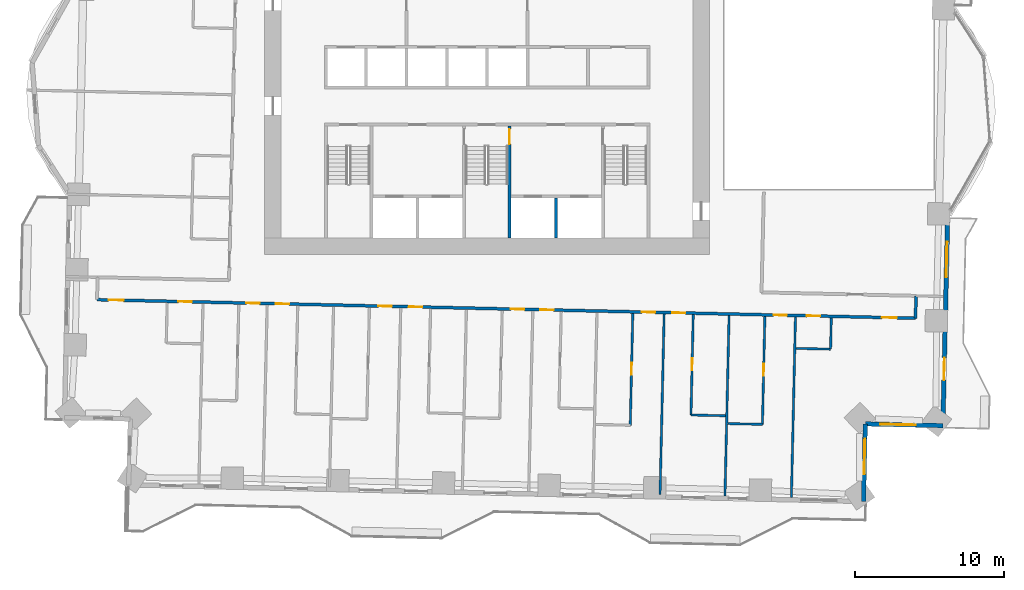
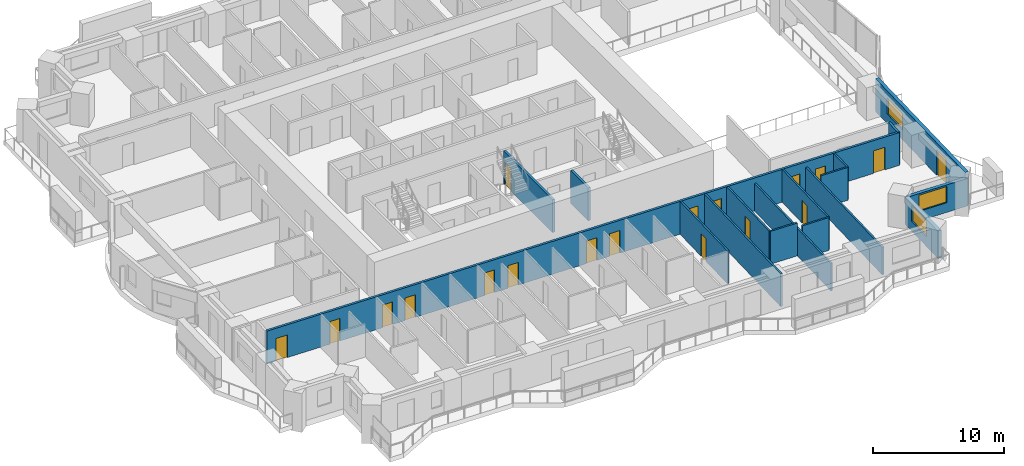
# One storey, part 9 of 18: 18 doors, 17 walls, 3 windows, 21 openings.
"""IFC4 building model written with IfcOpenShell, lengths in metres."""

from ifc_helpers import new_model, si_unit, direction, frame, frame_2d, origin, place, context, subcontext, project, spatial, rectangle, extrude, material, layer, layer_set, type_object, element, fill, save


model = new_model("IFC4")

# Units and contexts
model_context = context("Model", 3, precision=1e-05, world=origin(), true_north=direction((0.0, 1.0)))
body_context = subcontext(model_context, "Body", "Model", "MODEL_VIEW")
ifc_project = project(units=[si_unit("LENGTHUNIT", "METRE"), si_unit("AREAUNIT", "SQUARE_METRE"), si_unit("VOLUMEUNIT", "CUBIC_METRE"), si_unit("PLANEANGLEUNIT", "RADIAN"), si_unit("MASSUNIT", "GRAM", prefix="KILO")], contexts=[model_context])

# Site, building, storey
site_placement = place(None, origin())
site = spatial("IfcSite", under=ifc_project, at=site_placement, CompositionType="ELEMENT")
building_placement = place(site_placement, origin())
building = spatial("IfcBuilding", under=site, at=building_placement, Name="Mangrove Gate Tower", CompositionType="ELEMENT")
storey_placement = place(building_placement, frame((0.0, 0.0, 56.699951171875)))
storey = spatial("IfcBuildingStorey", under=building, at=storey_placement, Name="L13", CompositionType="ELEMENT", Elevation=56.699951171875)

# Wall
ifc_material_1 = material(Name="Concrete C70/85", Category="concrete")
ifc_layer_1 = layer(ifc_material_1, 0.199951171875)
ifc_layer_set_1 = layer_set([ifc_layer_1], Name="Core shaft wall 200 C70/85")
wall_type_1 = type_object("IfcWallType", Name="Core shaft wall 200 C70/85", PredefinedType="SHEAR", material=ifc_layer_set_1)
wall_1_placement = place(storey_placement, frame((4.625, -10.800048828125, 0.0), z_axis=(0.0, 0.0, 1.0), x_axis=(0.0, 1.0, 0.0)))
element("IfcWall", 1, at=wall_1_placement, inside=storey, type_object=wall_type_1, Name="WALL-L13-CORE-18", PredefinedType="SHEAR", context=body_context, shape_type="SweptSolid", body=[
    extrude(rectangle(XDim=2.699951171875, YDim=0.199951171875, at=frame_2d((1.35009765625, 0.0))), origin(), (0.0, 0.0, 1.0), 3.050048828125),
])

# Wall, opening, door
ifc_material_2 = material(Name="Concrete C70/85", Category="concrete")
ifc_layer_2 = layer(ifc_material_2, 0.199951171875)
ifc_layer_set_2 = layer_set([ifc_layer_2], Name="Core stair wall 200 C70/85")
wall_type_2 = type_object("IfcWallType", Name="Core stair wall 200 C70/85", PredefinedType="SHEAR", material=ifc_layer_set_2)
wall_2_placement = place(storey_placement, frame((1.5, -10.800048828125, 0.0), z_axis=(0.0, 0.0, 1.0), x_axis=(0.0, 1.0, 0.0)))
wall_2 = element("IfcWall", 2, at=wall_2_placement, inside=storey, type_object=wall_type_2, Name="WALL-L13-CORE-12", PredefinedType="SHEAR", context=body_context, shape_type="SweptSolid", body=[
    extrude(rectangle(XDim=7.5, YDim=0.199951171875, at=frame_2d((3.75, 0.0))), origin(), (0.0, 0.0, 1.0), 3.050048828125),
])
opening_1_placement = place(wall_2_placement, frame((6.300048828125, 0.0, 0.0)))
opening_1 = element("IfcOpeningElement", 3, at=opening_1_placement, cuts=wall_2, Name="Opening STD10", PredefinedType="OPENING", context=body_context, shape_type="SweptSolid", body=[
    extrude(rectangle(XDim=1.0, YDim=2.10009765625, at=frame_2d((0.5, 1.050048828125))), frame((0.0, 0.10986328125, 0.0), z_axis=(0.0, -1.0, 0.0), x_axis=(1.0, 0.0, 0.0)), (0.0, 0.0, 1.0), 0.219970703125),
])
ifc_material_3 = material(Name="Fire-rated steel door set", Category="steel")
door_type_1 = type_object("IfcDoorType", Name="Stair door FD60 1000x2100", OperationType="SINGLE_SWING_RIGHT", PredefinedType="DOOR", material=ifc_material_3)
door_1_placement = place(opening_1_placement, origin())
door_1 = element("IfcDoor", 4, at=door_1_placement, inside=storey, type_object=door_type_1, Name="Stair door Stair 2 from fire-fighting lobby", OperationType="SINGLE_SWING_RIGHT", OverallHeight=2.10009765625, OverallWidth=1.0, PredefinedType="DOOR", context=body_context, shape_type="SweptSolid", body=[
    extrude(rectangle(XDim=1.0, YDim=2.10009765625, at=frame_2d((0.5, 1.050048828125))), frame((0.0, 0.02490234375, 0.0), z_axis=(0.0, -1.0, 0.0), x_axis=(1.0, 0.0, 0.0)), (0.0, 0.0, 1.0), 0.050048828125),
])
fill(opening_1, door_1)

# Wall, openings, doors
ifc_material_4 = material(Name="Gypsum board on steel stud, EI 60", Category="steel")
ifc_layer_3 = layer(ifc_material_4, 0.199951171875)
ifc_layer_set_3 = layer_set([ifc_layer_3], Name="Corridor wall EI 60")
wall_type_3 = type_object("IfcWallType", Name="Corridor wall EI 60", PredefinedType="PARTITIONING", material=ifc_layer_set_3)
wall_3_placement = place(storey_placement, frame((-26.1259765625, -14.924072265625, 0.0), z_axis=(0.0, 0.0, 1.0), x_axis=(0.999742687583, -0.0226838847, 0.0)))
wall_3 = element("IfcWall", 5, at=wall_3_placement, inside=storey, type_object=wall_type_3, Name="WALL-L13-034", PredefinedType="PARTITIONING", context=body_context, shape_type="SweptSolid", body=[
    extrude(rectangle(XDim=54.836181640625, YDim=0.199951171875, at=frame_2d((27.41796875, 0.0))), origin(), (0.0, 0.0, 1.0), 3.050048828125),
])
opening_2_placement = place(wall_3_placement, frame((0.77490234375, 0.0, 0.0)))
opening_2 = element("IfcOpeningElement", 6, at=opening_2_placement, cuts=wall_3, Name="Opening AD", PredefinedType="OPENING", context=body_context, shape_type="SweptSolid", body=[
    extrude(rectangle(XDim=1.0, YDim=2.10009765625, at=frame_2d((0.5, 1.050048828125))), frame((0.0, 0.10986328125, 0.0), z_axis=(0.0, -1.0, 0.0), x_axis=(1.0, 0.0, 0.0)), (0.0, 0.0, 1.0), 0.219970703125),
])
opening_3_placement = place(wall_3_placement, frame((5.449951171875, 0.0, 0.0)))
opening_3 = element("IfcOpeningElement", 7, at=opening_3_placement, cuts=wall_3, Name="Opening SD", PredefinedType="OPENING", context=body_context, shape_type="SweptSolid", body=[
    extrude(rectangle(XDim=0.89990234375, YDim=2.10009765625, at=frame_2d((0.449951171875, 1.050048828125))), frame((0.0, 0.10986328125, 0.0), z_axis=(0.0, -1.0, 0.0), x_axis=(1.0, 0.0, 0.0)), (0.0, 0.0, 1.0), 0.219970703125),
])
opening_4_placement = place(wall_3_placement, frame((10.0, 0.0, 0.0)))
opening_4 = element("IfcOpeningElement", 8, at=opening_4_placement, cuts=wall_3, Name="Opening BD", PredefinedType="OPENING", context=body_context, shape_type="SweptSolid", body=[
    extrude(rectangle(XDim=0.89990234375, YDim=2.10009765625, at=frame_2d((0.449951171875, 1.050048828125))), frame((0.0, 0.10986328125, 0.0), z_axis=(0.0, -1.0, 0.0), x_axis=(1.0, 0.0, 0.0)), (0.0, 0.0, 1.0), 0.219970703125),
])
opening_5_placement = place(wall_3_placement, frame((11.97509765625, 0.0, 0.0)))
opening_5 = element("IfcOpeningElement", 9, at=opening_5_placement, cuts=wall_3, Name="Opening BD", PredefinedType="OPENING", context=body_context, shape_type="SweptSolid", body=[
    extrude(rectangle(XDim=0.89990234375, YDim=2.10009765625, at=frame_2d((0.449951171875, 1.050048828125))), frame((0.0, 0.10986328125, 0.0), z_axis=(0.0, -1.0, 0.0), x_axis=(1.0, 0.0, 0.0)), (0.0, 0.0, 1.0), 0.219970703125),
])
opening_6_placement = place(wall_3_placement, frame((18.85009765625, 0.0, 0.0)))
opening_6 = element("IfcOpeningElement", 10, at=opening_6_placement, cuts=wall_3, Name="Opening BD", PredefinedType="OPENING", context=body_context, shape_type="SweptSolid", body=[
    extrude(rectangle(XDim=0.89990234375, YDim=2.10009765625, at=frame_2d((0.449951171875, 1.050048828125))), frame((0.0, 0.10986328125, 0.0), z_axis=(0.0, -1.0, 0.0), x_axis=(1.0, 0.0, 0.0)), (0.0, 0.0, 1.0), 0.219970703125),
])
opening_7_placement = place(wall_3_placement, frame((20.89990234375, 0.0, 0.0)))
opening_7 = element("IfcOpeningElement", 11, at=opening_7_placement, cuts=wall_3, Name="Opening BD", PredefinedType="OPENING", context=body_context, shape_type="SweptSolid", body=[
    extrude(rectangle(XDim=0.89990234375, YDim=2.10009765625, at=frame_2d((0.449951171875, 1.050048828125))), frame((0.0, 0.10986328125, 0.0), z_axis=(0.0, -1.0, 0.0), x_axis=(1.0, 0.0, 0.0)), (0.0, 0.0, 1.0), 0.219970703125),
])
opening_8_placement = place(wall_3_placement, frame((27.72509765625, 0.0, 0.0)))
opening_8 = element("IfcOpeningElement", 12, at=opening_8_placement, cuts=wall_3, Name="Opening BD", PredefinedType="OPENING", context=body_context, shape_type="SweptSolid", body=[
    extrude(rectangle(XDim=0.89990234375, YDim=2.10009765625, at=frame_2d((0.449951171875, 1.050048828125))), frame((0.0, 0.10986328125, 0.0), z_axis=(0.0, -1.0, 0.0), x_axis=(1.0, 0.0, 0.0)), (0.0, 0.0, 1.0), 0.219970703125),
])
opening_9_placement = place(wall_3_placement, frame((29.699951171875, 0.0, 0.0)))
opening_9 = element("IfcOpeningElement", 13, at=opening_9_placement, cuts=wall_3, Name="Opening BD", PredefinedType="OPENING", context=body_context, shape_type="SweptSolid", body=[
    extrude(rectangle(XDim=0.89990234375, YDim=2.10009765625, at=frame_2d((0.449951171875, 1.050048828125))), frame((0.0, 0.10986328125, 0.0), z_axis=(0.0, -1.0, 0.0), x_axis=(1.0, 0.0, 0.0)), (0.0, 0.0, 1.0), 0.219970703125),
])
opening_10_placement = place(wall_3_placement, frame((36.5, 0.0, 0.0)))
opening_10 = element("IfcOpeningElement", 14, at=opening_10_placement, cuts=wall_3, Name="Opening BD", PredefinedType="OPENING", context=body_context, shape_type="SweptSolid", body=[
    extrude(rectangle(XDim=0.89990234375, YDim=2.10009765625, at=frame_2d((0.449951171875, 1.050048828125))), frame((0.0, 0.10986328125, 0.0), z_axis=(0.0, -1.0, 0.0), x_axis=(1.0, 0.0, 0.0)), (0.0, 0.0, 1.0), 0.219970703125),
])
opening_11_placement = place(wall_3_placement, frame((38.52490234375, 0.0, 0.0)))
opening_11 = element("IfcOpeningElement", 15, at=opening_11_placement, cuts=wall_3, Name="Opening BD", PredefinedType="OPENING", context=body_context, shape_type="SweptSolid", body=[
    extrude(rectangle(XDim=0.89990234375, YDim=2.10009765625, at=frame_2d((0.449951171875, 1.050048828125))), frame((0.0, 0.10986328125, 0.0), z_axis=(0.0, -1.0, 0.0), x_axis=(1.0, 0.0, 0.0)), (0.0, 0.0, 1.0), 0.219970703125),
])
opening_12_placement = place(wall_3_placement, frame((45.324951171875, 0.0, 0.0)))
opening_12 = element("IfcOpeningElement", 16, at=opening_12_placement, cuts=wall_3, Name="Opening BD", PredefinedType="OPENING", context=body_context, shape_type="SweptSolid", body=[
    extrude(rectangle(XDim=0.89990234375, YDim=2.10009765625, at=frame_2d((0.449951171875, 1.050048828125))), frame((0.0, 0.10986328125, 0.0), z_axis=(0.0, -1.0, 0.0), x_axis=(1.0, 0.0, 0.0)), (0.0, 0.0, 1.0), 0.219970703125),
])
opening_13_placement = place(wall_3_placement, frame((52.593017578125, 0.0, 0.0)))
opening_13 = element("IfcOpeningElement", 17, at=opening_13_placement, cuts=wall_3, Name="Opening AD", PredefinedType="OPENING", context=body_context, shape_type="SweptSolid", body=[
    extrude(rectangle(XDim=1.0, YDim=2.10009765625, at=frame_2d((0.5, 1.050048828125))), frame((0.0, 0.10986328125, 0.0), z_axis=(0.0, -1.0, 0.0), x_axis=(1.0, 0.0, 0.0)), (0.0, 0.0, 1.0), 0.219970703125),
])
opening_14_placement = place(wall_3_placement, frame((47.550048828125, 0.0, 0.0)))
opening_14 = element("IfcOpeningElement", 18, at=opening_14_placement, cuts=wall_3, Name="Opening SD", PredefinedType="OPENING", context=body_context, shape_type="SweptSolid", body=[
    extrude(rectangle(XDim=0.89990234375, YDim=2.10009765625, at=frame_2d((0.449951171875, 1.050048828125))), frame((0.0, 0.10986328125, 0.0), z_axis=(0.0, -1.0, 0.0), x_axis=(1.0, 0.0, 0.0)), (0.0, 0.0, 1.0), 0.219970703125),
])
ifc_material_5 = material(Name="Timber door leaf", Category="wood")
door_type_2 = type_object("IfcDoorType", Name="Amenity door 1000", OperationType="SINGLE_SWING_LEFT", PredefinedType="DOOR", material=ifc_material_5)
door_2_placement = place(opening_2_placement, origin())
door_2 = element("IfcDoor", 19, at=door_2_placement, inside=storey, type_object=door_type_2, Name="DOOR-L13-LNG-c1a", OperationType="SINGLE_SWING_LEFT", OverallHeight=2.10009765625, OverallWidth=1.0, PredefinedType="DOOR", context=body_context, shape_type="SweptSolid", body=[
    extrude(rectangle(XDim=1.0, YDim=2.10009765625, at=frame_2d((0.5, 1.050048828125))), frame((0.0, 0.02490234375, 0.0), z_axis=(0.0, -1.0, 0.0), x_axis=(1.0, 0.0, 0.0)), (0.0, 0.0, 1.0), 0.050048828125),
])
fill(opening_2, door_2)
door_3_placement = place(opening_13_placement, origin())
door_3 = element("IfcDoor", 20, at=door_3_placement, inside=storey, type_object=door_type_2, Name="DOOR-L13-LNG-c3a", OperationType="SINGLE_SWING_RIGHT", OverallHeight=2.10009765625, OverallWidth=1.0, PredefinedType="DOOR", context=body_context, shape_type="SweptSolid", body=[
    extrude(rectangle(XDim=1.0, YDim=2.10009765625, at=frame_2d((0.5, 1.050048828125))), frame((0.0, 0.02490234375, 0.0), z_axis=(0.0, -1.0, 0.0), x_axis=(1.0, 0.0, 0.0)), (0.0, 0.0, 1.0), 0.050048828125),
])
fill(opening_13, door_3)
ifc_material_6 = material(Name="Timber door leaf", Category="wood")
door_type_3 = type_object("IfcDoorType", Name="Bedroom door 900", OperationType="SINGLE_SWING_LEFT", PredefinedType="DOOR", material=ifc_material_6)
door_4_placement = place(opening_4_placement, origin())
door_4 = element("IfcDoor", 21, at=door_4_placement, inside=storey, type_object=door_type_3, Name="DOOR-L13-BED-c101", OperationType="SINGLE_SWING_LEFT", OverallHeight=2.10009765625, OverallWidth=0.89990234375, PredefinedType="DOOR", context=body_context, shape_type="SweptSolid", body=[
    extrude(rectangle(XDim=0.89990234375, YDim=2.10009765625, at=frame_2d((0.449951171875, 1.050048828125))), frame((0.0, 0.02490234375, 0.0), z_axis=(0.0, -1.0, 0.0), x_axis=(1.0, 0.0, 0.0)), (0.0, 0.0, 1.0), 0.050048828125),
])
fill(opening_4, door_4)
door_5_placement = place(opening_5_placement, origin())
door_5 = element("IfcDoor", 22, at=door_5_placement, inside=storey, type_object=door_type_3, Name="DOOR-L13-BED-c102", OperationType="SINGLE_SWING_RIGHT", OverallHeight=2.10009765625, OverallWidth=0.89990234375, PredefinedType="DOOR", context=body_context, shape_type="SweptSolid", body=[
    extrude(rectangle(XDim=0.89990234375, YDim=2.10009765625, at=frame_2d((0.449951171875, 1.050048828125))), frame((0.0, 0.02490234375, 0.0), z_axis=(0.0, -1.0, 0.0), x_axis=(1.0, 0.0, 0.0)), (0.0, 0.0, 1.0), 0.050048828125),
])
fill(opening_5, door_5)
door_6_placement = place(opening_6_placement, origin())
door_6 = element("IfcDoor", 23, at=door_6_placement, inside=storey, type_object=door_type_3, Name="DOOR-L13-BED-c103", OperationType="SINGLE_SWING_LEFT", OverallHeight=2.10009765625, OverallWidth=0.89990234375, PredefinedType="DOOR", context=body_context, shape_type="SweptSolid", body=[
    extrude(rectangle(XDim=0.89990234375, YDim=2.10009765625, at=frame_2d((0.449951171875, 1.050048828125))), frame((0.0, 0.02490234375, 0.0), z_axis=(0.0, -1.0, 0.0), x_axis=(1.0, 0.0, 0.0)), (0.0, 0.0, 1.0), 0.050048828125),
])
fill(opening_6, door_6)
door_7_placement = place(opening_7_placement, origin())
door_7 = element("IfcDoor", 24, at=door_7_placement, inside=storey, type_object=door_type_3, Name="DOOR-L13-BED-c104", OperationType="SINGLE_SWING_RIGHT", OverallHeight=2.10009765625, OverallWidth=0.89990234375, PredefinedType="DOOR", context=body_context, shape_type="SweptSolid", body=[
    extrude(rectangle(XDim=0.89990234375, YDim=2.10009765625, at=frame_2d((0.449951171875, 1.050048828125))), frame((0.0, 0.02490234375, 0.0), z_axis=(0.0, -1.0, 0.0), x_axis=(1.0, 0.0, 0.0)), (0.0, 0.0, 1.0), 0.050048828125),
])
fill(opening_7, door_7)
door_8_placement = place(opening_8_placement, origin())
door_8 = element("IfcDoor", 25, at=door_8_placement, inside=storey, type_object=door_type_3, Name="DOOR-L13-BED-c205", OperationType="SINGLE_SWING_LEFT", OverallHeight=2.10009765625, OverallWidth=0.89990234375, PredefinedType="DOOR", context=body_context, shape_type="SweptSolid", body=[
    extrude(rectangle(XDim=0.89990234375, YDim=2.10009765625, at=frame_2d((0.449951171875, 1.050048828125))), frame((0.0, 0.02490234375, 0.0), z_axis=(0.0, -1.0, 0.0), x_axis=(1.0, 0.0, 0.0)), (0.0, 0.0, 1.0), 0.050048828125),
])
fill(opening_8, door_8)
door_9_placement = place(opening_9_placement, origin())
door_9 = element("IfcDoor", 26, at=door_9_placement, inside=storey, type_object=door_type_3, Name="DOOR-L13-BED-c206", OperationType="SINGLE_SWING_RIGHT", OverallHeight=2.10009765625, OverallWidth=0.89990234375, PredefinedType="DOOR", context=body_context, shape_type="SweptSolid", body=[
    extrude(rectangle(XDim=0.89990234375, YDim=2.10009765625, at=frame_2d((0.449951171875, 1.050048828125))), frame((0.0, 0.02490234375, 0.0), z_axis=(0.0, -1.0, 0.0), x_axis=(1.0, 0.0, 0.0)), (0.0, 0.0, 1.0), 0.050048828125),
])
fill(opening_9, door_9)
door_10_placement = place(opening_10_placement, origin())
door_10 = element("IfcDoor", 27, at=door_10_placement, inside=storey, type_object=door_type_3, Name="DOOR-L13-BED-c207", OperationType="SINGLE_SWING_LEFT", OverallHeight=2.10009765625, OverallWidth=0.89990234375, PredefinedType="DOOR", context=body_context, shape_type="SweptSolid", body=[
    extrude(rectangle(XDim=0.89990234375, YDim=2.10009765625, at=frame_2d((0.449951171875, 1.050048828125))), frame((0.0, 0.02490234375, 0.0), z_axis=(0.0, -1.0, 0.0), x_axis=(1.0, 0.0, 0.0)), (0.0, 0.0, 1.0), 0.050048828125),
])
fill(opening_10, door_10)
door_11_placement = place(opening_11_placement, origin())
door_11 = element("IfcDoor", 28, at=door_11_placement, inside=storey, type_object=door_type_3, Name="DOOR-L13-BED-c308", OperationType="SINGLE_SWING_RIGHT", OverallHeight=2.10009765625, OverallWidth=0.89990234375, PredefinedType="DOOR", context=body_context, shape_type="SweptSolid", body=[
    extrude(rectangle(XDim=0.89990234375, YDim=2.10009765625, at=frame_2d((0.449951171875, 1.050048828125))), frame((0.0, 0.02490234375, 0.0), z_axis=(0.0, -1.0, 0.0), x_axis=(1.0, 0.0, 0.0)), (0.0, 0.0, 1.0), 0.050048828125),
])
fill(opening_11, door_11)
door_12_placement = place(opening_12_placement, origin())
door_12 = element("IfcDoor", 29, at=door_12_placement, inside=storey, type_object=door_type_3, Name="DOOR-L13-BED-c309", OperationType="SINGLE_SWING_LEFT", OverallHeight=2.10009765625, OverallWidth=0.89990234375, PredefinedType="DOOR", context=body_context, shape_type="SweptSolid", body=[
    extrude(rectangle(XDim=0.89990234375, YDim=2.10009765625, at=frame_2d((0.449951171875, 1.050048828125))), frame((0.0, 0.02490234375, 0.0), z_axis=(0.0, -1.0, 0.0), x_axis=(1.0, 0.0, 0.0)), (0.0, 0.0, 1.0), 0.050048828125),
])
fill(opening_12, door_12)
ifc_material_7 = material(Name="Timber door leaf", Category="wood")
door_type_4 = type_object("IfcDoorType", Name="Service room door 900", OperationType="SINGLE_SWING_LEFT", PredefinedType="DOOR", material=ifc_material_7)
door_13_placement = place(opening_3_placement, origin())
door_13 = element("IfcDoor", 30, at=door_13_placement, inside=storey, type_object=door_type_4, Name="DOOR-L13-WC-c1a", OperationType="SINGLE_SWING_LEFT", OverallHeight=2.10009765625, OverallWidth=0.89990234375, PredefinedType="DOOR", context=body_context, shape_type="SweptSolid", body=[
    extrude(rectangle(XDim=0.89990234375, YDim=2.10009765625, at=frame_2d((0.449951171875, 1.050048828125))), frame((0.0, 0.02490234375, 0.0), z_axis=(0.0, -1.0, 0.0), x_axis=(1.0, 0.0, 0.0)), (0.0, 0.0, 1.0), 0.050048828125),
])
fill(opening_3, door_13)
door_14_placement = place(opening_14_placement, origin())
door_14 = element("IfcDoor", 31, at=door_14_placement, inside=storey, type_object=door_type_4, Name="DOOR-L13-LIN-c3a", OperationType="SINGLE_SWING_RIGHT", OverallHeight=2.10009765625, OverallWidth=0.89990234375, PredefinedType="DOOR", context=body_context, shape_type="SweptSolid", body=[
    extrude(rectangle(XDim=0.89990234375, YDim=2.10009765625, at=frame_2d((0.449951171875, 1.050048828125))), frame((0.0, 0.02490234375, 0.0), z_axis=(0.0, -1.0, 0.0), x_axis=(1.0, 0.0, 0.0)), (0.0, 0.0, 1.0), 0.050048828125),
])
fill(opening_14, door_14)

# Wall
wall_4_placement = place(storey_placement, frame((28.697998046875, -16.1689453125, 0.0), z_axis=(0.0, 0.0, 1.0), x_axis=(0.022617910375, 0.999744182344, 0.0)))
element("IfcWall", 32, at=wall_4_placement, inside=storey, type_object=wall_type_3, Name="WALL-L13-035", PredefinedType="PARTITIONING", context=body_context, shape_type="SweptSolid", body=[
    extrude(rectangle(XDim=1.50048828125, YDim=0.199951171875, at=frame_2d((0.750244140625, 0.0))), origin(), (0.0, 0.0, 1.0), 3.050048828125),
])

# Wall, openings, door, window
ifc_material_8 = material(Name="Limestone", Category="masonry")
ifc_layer_4 = layer(ifc_material_8, 0.0400390625, Name="Limestone cladding")
ifc_material_9 = material(Name="Ventilated air gap")
ifc_layer_5 = layer(ifc_material_9, 0.0400390625, Name="Ventilated cavity")
ifc_material_10 = material(Name="Mineral wool insulation")
ifc_layer_6 = layer(ifc_material_10, 0.06005859375, Name="Insulation")
ifc_material_11 = material(Name="Breather membrane")
ifc_layer_7 = layer(ifc_material_11, 0.001953125, Name="Breather membrane")
ifc_material_12 = material(Name="Concrete C20/25 blockwork", Category="masonry")
ifc_layer_8 = layer(ifc_material_12, 0.14990234375, Name="Blockwork backing wall")
ifc_material_13 = material(Name="Gypsum plaster")
ifc_layer_9 = layer(ifc_material_13, 0.008056640625, Name="Internal plaster")
ifc_layer_set_4 = layer_set([ifc_layer_4, ifc_layer_5, ifc_layer_6, ifc_layer_7, ifc_layer_8, ifc_layer_9], Name="External wall 300 limestone cladding")
wall_type_4 = type_object("IfcWallType", Name="External wall 300 limestone cladding", PredefinedType="SOLIDWALL", material=ifc_layer_set_4)
wall_5_placement = place(storey_placement, frame((30.532958984375, -23.362060546875, 0.0), z_axis=(0.0, 0.0, 1.0), x_axis=(0.022698800888, 0.999742349027, 0.0)))
wall_5 = element("IfcWall", 33, at=wall_5_placement, inside=storey, type_object=wall_type_4, Name="WALL-L13-E0", PredefinedType="SOLIDWALL", context=body_context, shape_type="SweptSolid", body=[
    extrude(rectangle(XDim=14.229736328125, YDim=0.300048828125, at=frame_2d((7.11474609375, 0.0))), origin(), (0.0, 0.0, 1.0), 3.050048828125),
])
opening_15_placement = place(wall_5_placement, frame((3.050048828125, 0.0, 0.0)))
opening_15 = element("IfcOpeningElement", 34, at=opening_15_placement, cuts=wall_5, Name="Opening BD1", PredefinedType="OPENING", context=body_context, shape_type="SweptSolid", body=[
    extrude(rectangle(XDim=1.5, YDim=2.39990234375, at=frame_2d((0.75, 1.199951171875))), frame((0.0, 0.159912109375, 0.0), z_axis=(0.0, -1.0, 0.0), x_axis=(1.0, 0.0, 0.0)), (0.0, 0.0, 1.0), 0.320068359375),
])
opening_16_placement = place(wall_5_placement, frame((9.93701171875, 0.0, 0.89990234375)))
opening_16 = element("IfcOpeningElement", 35, at=opening_16_placement, cuts=wall_5, Name="Opening W2", PredefinedType="OPENING", context=body_context, shape_type="SweptSolid", body=[
    extrude(rectangle(XDim=2.39990234375, YDim=1.5, at=frame_2d((1.199951171875, 0.75))), frame((0.0, 0.159912109375, 0.0), z_axis=(0.0, -1.0, 0.0), x_axis=(1.0, 0.0, 0.0)), (0.0, 0.0, 1.0), 0.320068359375),
])
ifc_material_14 = material(Name="Aluminium frame with laminated clear glass", Category="aluminium")
door_type_5 = type_object("IfcDoorType", Name="Balcony sliding door 1500x2400", OperationType="SLIDING_TO_LEFT", PredefinedType="DOOR", material=ifc_material_14)
door_15_placement = place(opening_15_placement, origin())
door_15 = element("IfcDoor", 36, at=door_15_placement, inside=storey, type_object=door_type_5, Name="DOOR-L13-E0-1", OperationType="SLIDING_TO_LEFT", OverallHeight=2.39990234375, OverallWidth=1.5, PredefinedType="DOOR", context=body_context, shape_type="SweptSolid", body=[
    extrude(rectangle(XDim=1.5, YDim=2.39990234375, at=frame_2d((0.75, 1.199951171875))), frame((0.0, 0.02490234375, 0.0), z_axis=(0.0, -1.0, 0.0), x_axis=(1.0, 0.0, 0.0)), (0.0, 0.0, 1.0), 0.050048828125),
])
fill(opening_15, door_15)
ifc_material_15 = material(Name="Aluminium frame with double-glazed low-e glass", Category="aluminium")
window_type = type_object("IfcWindowType", Name="Corner room window 2400x1500", PartitioningType="DOUBLE_PANEL_VERTICAL", PredefinedType="WINDOW", material=ifc_material_15)
window_1_placement = place(opening_16_placement, origin())
window_1 = element("IfcWindow", 37, at=window_1_placement, inside=storey, type_object=window_type, Name="WIN-L13-E0-2", OverallHeight=1.5, OverallWidth=2.39990234375, PartitioningType="DOUBLE_PANEL_VERTICAL", PredefinedType="WINDOW", context=body_context, shape_type="SweptSolid", body=[
    extrude(rectangle(XDim=2.39990234375, YDim=1.5, at=frame_2d((1.199951171875, 0.75))), frame((0.0, 0.030029296875, 0.0), z_axis=(0.0, -1.0, 0.0), x_axis=(1.0, 0.0, 0.0)), (0.0, 0.0, 1.0), 0.06005859375),
])
fill(opening_16, window_1)

# Wall, opening, window
wall_6_placement = place(storey_placement, frame((25.216064453125, -28.443115234375, 0.0), z_axis=(0.0, 0.0, 1.0), x_axis=(0.022674484462, 0.999742900827, 0.0)))
wall_6 = element("IfcWall", 38, at=wall_6_placement, inside=storey, type_object=wall_type_4, Name="WALL-L13-E14", PredefinedType="SOLIDWALL", context=body_context, shape_type="SweptSolid", body=[
    extrude(rectangle(XDim=5.200439453125, YDim=0.300048828125, at=frame_2d((2.60009765625, 0.0))), origin(), (0.0, 0.0, 1.0), 2.550048828125),
])
opening_17_placement = place(wall_6_placement, frame((1.81103515625, 0.0, 0.89990234375)))
opening_17 = element("IfcOpeningElement", 39, at=opening_17_placement, cuts=wall_6, Name="Opening W2", PredefinedType="OPENING", context=body_context, shape_type="SweptSolid", body=[
    extrude(rectangle(XDim=2.39990234375, YDim=1.5, at=frame_2d((1.199951171875, 0.75))), frame((0.0, 0.159912109375, 0.0), z_axis=(0.0, -1.0, 0.0), x_axis=(1.0, 0.0, 0.0)), (0.0, 0.0, 1.0), 0.320068359375),
])
window_2_placement = place(opening_17_placement, origin())
window_2 = element("IfcWindow", 40, at=window_2_placement, inside=storey, type_object=window_type, Name="WIN-L13-E14-1", OverallHeight=1.5, OverallWidth=2.39990234375, PartitioningType="DOUBLE_PANEL_VERTICAL", PredefinedType="WINDOW", context=body_context, shape_type="SweptSolid", body=[
    extrude(rectangle(XDim=2.39990234375, YDim=1.5, at=frame_2d((1.199951171875, 0.75))), frame((0.0, 0.030029296875, 0.0), z_axis=(0.0, -1.0, 0.0), x_axis=(1.0, 0.0, 0.0)), (0.0, 0.0, 1.0), 0.06005859375),
])
fill(opening_17, window_2)

wall_7_placement = place(storey_placement, frame((25.333984375, -23.243896484375, 0.0), z_axis=(0.0, 0.0, 1.0), x_axis=(0.999741811307, -0.022722471786, 0.0)))
wall_7 = element("IfcWall", 41, at=wall_7_placement, inside=storey, type_object=wall_type_4, Name="WALL-L13-S15", PredefinedType="SOLIDWALL", context=body_context, shape_type="SweptSolid", body=[
    extrude(rectangle(XDim=5.2001953125, YDim=0.300048828125, at=frame_2d((2.60009765625, 0.0))), origin(), (0.0, 0.0, 1.0), 2.550048828125),
])
opening_18_placement = place(wall_7_placement, frame((0.988037109375, 0.0, 0.89990234375)))
opening_18 = element("IfcOpeningElement", 42, at=opening_18_placement, cuts=wall_7, Name="Opening W2", PredefinedType="OPENING", context=body_context, shape_type="SweptSolid", body=[
    extrude(rectangle(XDim=2.39990234375, YDim=1.5, at=frame_2d((1.199951171875, 0.75))), frame((0.0, 0.159912109375, 0.0), z_axis=(0.0, -1.0, 0.0), x_axis=(1.0, 0.0, 0.0)), (0.0, 0.0, 1.0), 0.320068359375),
])
window_3_placement = place(opening_18_placement, origin())
window_3 = element("IfcWindow", 43, at=window_3_placement, inside=storey, type_object=window_type, Name="WIN-L13-S15-1", OverallHeight=1.5, OverallWidth=2.39990234375, PartitioningType="DOUBLE_PANEL_VERTICAL", PredefinedType="WINDOW", context=body_context, shape_type="SweptSolid", body=[
    extrude(rectangle(XDim=2.39990234375, YDim=1.5, at=frame_2d((1.199951171875, 0.75))), frame((0.0, 0.030029296875, 0.0), z_axis=(0.0, -1.0, 0.0), x_axis=(1.0, 0.0, 0.0)), (0.0, 0.0, 1.0), 0.06005859375),
])
fill(opening_18, window_3)

# Walls
ifc_material_16 = material(Name="Gypsum board on steel stud, EI 60", Category="steel")
ifc_layer_10 = layer(ifc_material_16, 0.14990234375)
ifc_layer_set_5 = layer_set([ifc_layer_10], Name="Party wall 150 EI 60")
wall_type_5 = type_object("IfcWallType", Name="Party wall 150 EI 60", PredefinedType="PARTITIONING", material=ifc_layer_set_5)
wall_8_placement = place(storey_placement, frame((11.5849609375, -27.98388671875, 0.0), z_axis=(0.0, 0.0, 1.0), x_axis=(0.022737445516, 0.999741470867, 0.0)))
element("IfcWall", 44, at=wall_8_placement, inside=storey, type_object=wall_type_5, Name="WALL-L13-008", PredefinedType="PARTITIONING", context=body_context, shape_type="SweptSolid", body=[
    extrude(rectangle(XDim=12.10107421875, YDim=0.14990234375, at=frame_2d((6.050537109375, 0.0))), origin(), (0.0, 0.0, 1.0), 3.050048828125),
])
wall_9_placement = place(storey_placement, frame((15.93408203125, -28.08203125, 0.0), z_axis=(0.0, 0.0, 1.0), x_axis=(0.022719113715, 0.999741887625, 0.0)))
element("IfcWall", 45, at=wall_9_placement, inside=storey, type_object=wall_type_5, Name="WALL-L13-009", PredefinedType="PARTITIONING", context=body_context, shape_type="SweptSolid", body=[
    extrude(rectangle(XDim=12.10009765625, YDim=0.14990234375, at=frame_2d((6.050048828125, 0.0))), origin(), (0.0, 0.0, 1.0), 2.550048828125),
])
wall_10_placement = place(storey_placement, frame((20.383056640625, -28.18310546875, 0.0), z_axis=(0.0, 0.0, 1.0), x_axis=(0.022637991173, 0.99974372784, 0.0)))
element("IfcWall", 46, at=wall_10_placement, inside=storey, type_object=wall_type_5, Name="WALL-L13-010", PredefinedType="PARTITIONING", context=body_context, shape_type="SweptSolid", body=[
    extrude(rectangle(XDim=12.100341796875, YDim=0.14990234375, at=frame_2d((6.05029296875, 0.0))), origin(), (0.0, 0.0, 1.0), 2.550048828125),
])

# Wall, opening, door
wall_11_placement = place(storey_placement, frame((9.590087890625, -23.3369140625, 0.0), z_axis=(0.0, 0.0, 1.0), x_axis=(0.022657071855, 0.999743295599, 0.0)))
wall_11 = element("IfcWall", 47, at=wall_11_placement, inside=storey, type_object=wall_type_5, Name="WALL-L13-014", PredefinedType="PARTITIONING", context=body_context, shape_type="SweptSolid", body=[
    extrude(rectangle(XDim=7.499755859375, YDim=0.14990234375, at=frame_2d((3.75, 0.0))), origin(), (0.0, 0.0, 1.0), 3.050048828125),
])
opening_19_placement = place(wall_11_placement, frame((3.39990234375, 0.0, 0.0)))
opening_19 = element("IfcOpeningElement", 48, at=opening_19_placement, cuts=wall_11, Name="Opening ED", PredefinedType="OPENING", context=body_context, shape_type="SweptSolid", body=[
    extrude(rectangle(XDim=0.800048828125, YDim=2.10009765625, at=frame_2d((0.39990234375, 1.050048828125))), frame((0.0, 0.0849609375, 0.0), z_axis=(0.0, -1.0, 0.0), x_axis=(1.0, 0.0, 0.0)), (0.0, 0.0, 1.0), 0.169921875),
])
ifc_material_17 = material(Name="Timber door leaf", Category="wood")
door_type_6 = type_object("IfcDoorType", Name="En-suite door 800", OperationType="SINGLE_SWING_LEFT", PredefinedType="DOOR", material=ifc_material_17)
door_16_placement = place(opening_19_placement, origin())
door_16 = element("IfcDoor", 49, at=door_16_placement, inside=storey, type_object=door_type_6, Name="DOOR-L13-ENS-c207", OperationType="SINGLE_SWING_LEFT", OverallHeight=2.10009765625, OverallWidth=0.800048828125, PredefinedType="DOOR", context=body_context, shape_type="SweptSolid", body=[
    extrude(rectangle(XDim=0.800048828125, YDim=2.10009765625, at=frame_2d((0.39990234375, 1.050048828125))), frame((0.0, 0.02490234375, 0.0), z_axis=(0.0, -1.0, 0.0), x_axis=(1.0, 0.0, 0.0)), (0.0, 0.0, 1.0), 0.050048828125),
])
fill(opening_19, door_16)

# Wall
wall_12_placement = place(storey_placement, frame((16.12109375, -23.22509765625, 0.0), z_axis=(0.0, 0.0, 1.0), x_axis=(0.999740478815, -0.022781023197, 0.0)))
element("IfcWall", 50, at=wall_12_placement, inside=storey, type_object=wall_type_5, Name="WALL-L13-019", PredefinedType="PARTITIONING", context=body_context, shape_type="SweptSolid", body=[
    extrude(rectangle(XDim=2.325439453125, YDim=0.14990234375, at=frame_2d((1.16259765625, 0.0))), origin(), (0.0, 0.0, 1.0), 3.050048828125),
])

# Wall, opening, door
wall_13_placement = place(storey_placement, frame((18.444091796875, -23.278076171875, 0.0), z_axis=(0.0, 0.0, 1.0), x_axis=(0.022627186748, 0.999743972435, 0.0)))
wall_13 = element("IfcWall", 51, at=wall_13_placement, inside=storey, type_object=wall_type_5, Name="WALL-L13-020", PredefinedType="PARTITIONING", context=body_context, shape_type="SweptSolid", body=[
    extrude(rectangle(XDim=7.239990234375, YDim=0.14990234375, at=frame_2d((3.6201171875, 0.0))), origin(), (0.0, 0.0, 1.0), 3.050048828125),
])
opening_20_placement = place(wall_13_placement, frame((3.27001953125, 0.0, 0.0)))
opening_20 = element("IfcOpeningElement", 52, at=opening_20_placement, cuts=wall_13, Name="Opening ED", PredefinedType="OPENING", context=body_context, shape_type="SweptSolid", body=[
    extrude(rectangle(XDim=0.800048828125, YDim=2.10009765625, at=frame_2d((0.39990234375, 1.050048828125))), frame((0.0, 0.0849609375, 0.0), z_axis=(0.0, -1.0, 0.0), x_axis=(1.0, 0.0, 0.0)), (0.0, 0.0, 1.0), 0.169921875),
])
door_17_placement = place(opening_20_placement, origin())
door_17 = element("IfcDoor", 53, at=door_17_placement, inside=storey, type_object=door_type_6, Name="DOOR-L13-ENS-c309", OperationType="SINGLE_SWING_LEFT", OverallHeight=2.10009765625, OverallWidth=0.800048828125, PredefinedType="DOOR", context=body_context, shape_type="SweptSolid", body=[
    extrude(rectangle(XDim=0.800048828125, YDim=2.10009765625, at=frame_2d((0.39990234375, 1.050048828125))), frame((0.0, 0.02490234375, 0.0), z_axis=(0.0, -1.0, 0.0), x_axis=(1.0, 0.0, 0.0)), (0.0, 0.0, 1.0), 0.050048828125),
])
fill(opening_20, door_17)

wall_14_placement = place(storey_placement, frame((13.656982421875, -22.64892578125, 0.0), z_axis=(0.0, 0.0, 1.0), x_axis=(0.022634748998, 0.99974380125, 0.0)))
wall_14 = element("IfcWall", 54, at=wall_14_placement, inside=storey, type_object=wall_type_5, Name="WALL-L13-023", PredefinedType="PARTITIONING", context=body_context, shape_type="SweptSolid", body=[
    extrude(rectangle(XDim=6.7197265625, YDim=0.14990234375, at=frame_2d((3.35986328125, 0.0))), origin(), (0.0, 0.0, 1.0), 3.050048828125),
])
opening_21_placement = place(wall_14_placement, frame((3.010009765625, 0.0, 0.0)))
opening_21 = element("IfcOpeningElement", 55, at=opening_21_placement, cuts=wall_14, Name="Opening ED", PredefinedType="OPENING", context=body_context, shape_type="SweptSolid", body=[
    extrude(rectangle(XDim=0.800048828125, YDim=2.10009765625, at=frame_2d((0.39990234375, 1.050048828125))), frame((0.0, 0.0849609375, 0.0), z_axis=(0.0, -1.0, 0.0), x_axis=(1.0, 0.0, 0.0)), (0.0, 0.0, 1.0), 0.169921875),
])
door_18_placement = place(opening_21_placement, origin())
door_18 = element("IfcDoor", 56, at=door_18_placement, inside=storey, type_object=door_type_6, Name="DOOR-L13-ENS-c308", OperationType="SINGLE_SWING_RIGHT", OverallHeight=2.10009765625, OverallWidth=0.800048828125, PredefinedType="DOOR", context=body_context, shape_type="SweptSolid", body=[
    extrude(rectangle(XDim=0.800048828125, YDim=2.10009765625, at=frame_2d((0.39990234375, 1.050048828125))), frame((0.0, 0.02490234375, 0.0), z_axis=(0.0, -1.0, 0.0), x_axis=(1.0, 0.0, 0.0)), (0.0, 0.0, 1.0), 0.050048828125),
])
fill(opening_21, door_18)

# Walls
for number, where, z_axis, x_axis, name in (
    (57, (13.658935546875, -22.64892578125, 0.0), (0.0, 0.0, 1.0), (0.999740260747, -0.02279059109, 0.0), "WALL-L13-024"),
    (58, (20.68701171875, -18.18701171875, 0.0), (0.0, 0.0, 1.0), (0.999740260747, -0.02279059109, 0.0), "WALL-L13-031"),
):
    element("IfcWall", number, at=place(storey_placement, frame(where, z_axis=z_axis, x_axis=x_axis)), inside=storey, type_object=wall_type_5, Name=name, PredefinedType="PARTITIONING", context=body_context, shape_type="SweptSolid", body=[
        extrude(rectangle(XDim=2.324462890625, YDim=0.14990234375, at=frame_2d((1.162109375, 0.0))), origin(), (0.0, 0.0, 1.0), 3.050048828125),
    ])
wall_15_placement = place(storey_placement, frame((23.009033203125, -18.239990234375, 0.0), z_axis=(0.0, 0.0, 1.0), x_axis=(0.022792727877, 0.999740212033, 0.0)))
element("IfcWall", 59, at=wall_15_placement, inside=storey, type_object=wall_type_5, Name="WALL-L13-032", PredefinedType="PARTITIONING", context=body_context, shape_type="SweptSolid", body=[
    extrude(rectangle(XDim=2.099365234375, YDim=0.14990234375, at=frame_2d((1.0498046875, 0.0))), origin(), (0.0, 0.0, 1.0), 3.050048828125),
])

save(model, "model.ifc")
